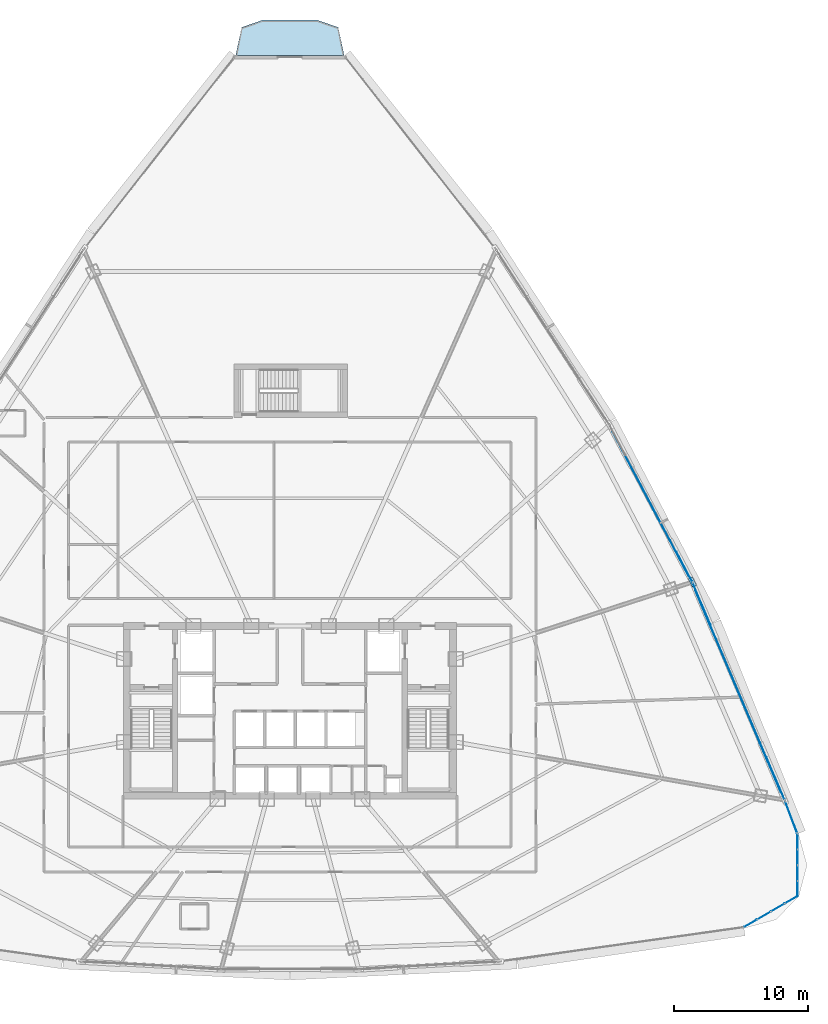
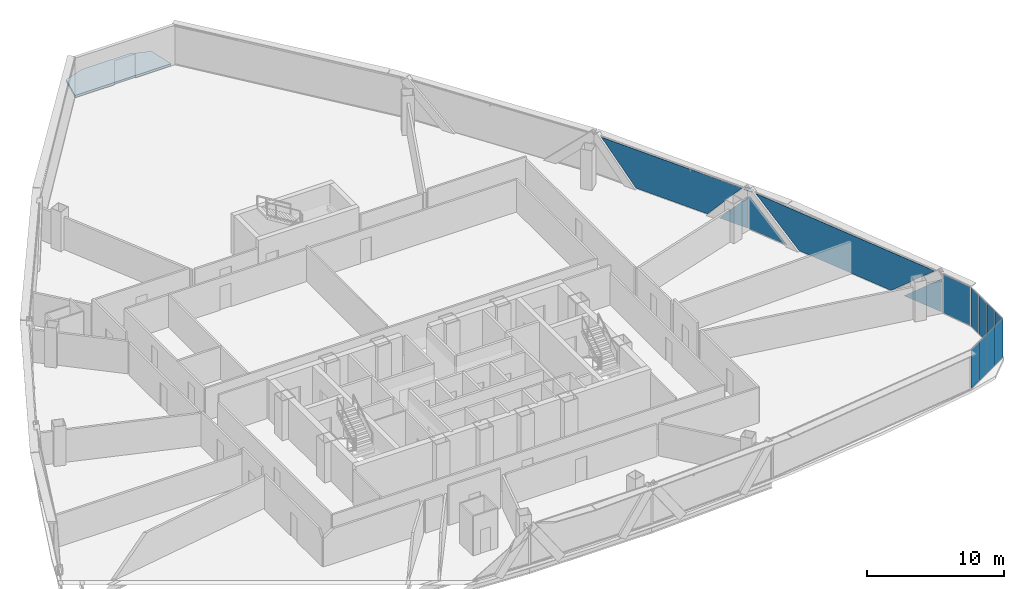
# One storey, part 29 of 38: 15 plates, 1 slab, 5 elements without a shape of their own.
"""IFC4 building model written with IfcOpenShell, lengths in metres."""

from ifc_helpers import new_model, si_unit, direction, frame, origin, origin_2d, place, context, subcontext, project, spatial, polyline, rectangle, outline, extrude, source, transform, mapped, material, layer, layer_set, type_object, element, aggregate, save


model = new_model("IFC4")

# Units and contexts
model_context = context("Model", 3, precision=1e-05, world=origin(), true_north=direction((0.0, 1.0)))
body_context = subcontext(model_context, "Body", "Model", "MODEL_VIEW")
ifc_project = project(units=[si_unit("LENGTHUNIT", "METRE"), si_unit("AREAUNIT", "SQUARE_METRE"), si_unit("VOLUMEUNIT", "CUBIC_METRE"), si_unit("PLANEANGLEUNIT", "RADIAN"), si_unit("MASSUNIT", "GRAM", prefix="KILO"), si_unit("THERMODYNAMICTEMPERATUREUNIT", "KELVIN"), si_unit("POWERUNIT", "WATT")], contexts=[model_context])

# Site, building, storey
site_placement = place(None, origin())
site = spatial("IfcSite", under=ifc_project, at=site_placement, CompositionType="ELEMENT")
building_placement = place(site_placement, origin())
building = spatial("IfcBuilding", under=site, at=building_placement, Name="Yunzhuo Pagoda Commons", CompositionType="ELEMENT")
storey_placement = place(building_placement, frame((0.0, 0.0, 203.760009765625)))
storey = spatial("IfcBuildingStorey", under=building, at=storey_placement, Name="L51", CompositionType="ELEMENT", Elevation=203.760009765625)

# Curtain wall, plates
ifc_material_1 = material(Name="Anodized aluminium 6063-T6", Category="aluminium")
ifc_layer_1 = layer(ifc_material_1, 0.14990234375)
ifc_layer_set_1 = layer_set([ifc_layer_1], Name="Anodized aluminium 6063-T6")
curtain_wall_type_1 = type_object("IfcCurtainWallType", Name="CW-MID Mid-Zone Ribbon Curtain Wall", PredefinedType="NOTDEFINED", material=ifc_layer_set_1)
curtain_wall_1_placement = place(storey_placement, origin())
curtain_wall_1 = element("IfcCurtainWall", 1, at=curtain_wall_1_placement, inside=storey, type_object=curtain_wall_type_1, Name="L51 curtain wall CW-L51-F2B2", PredefinedType="NOTDEFINED")
ifc_material_2 = material(Name="Tempered low-e double glazing", Category="glass")
ifc_layer_2 = layer(ifc_material_2, 0.028076171875)
ifc_layer_set_2 = layer_set([ifc_layer_2], Name="Tempered low-e double glazing")
plate_type_1 = type_object("IfcPlateType", Name="CW-MID-P Low-E Double Glazing 28", PredefinedType="CURTAIN_PANEL", material=ifc_layer_set_2)
plate_1_placement = place(storey_placement, frame((84.311767578125, 28.796630859375, 1.521484375), z_axis=(0.920824274127, 0.389977763697, 0.0), x_axis=(-0.389977763697, 0.920824274127, 0.0)))
plate_1 = element("IfcPlate", 2, at=plate_1_placement, type_object=plate_type_1, Name="CW panel 1.1 lite 1", PredefinedType="CURTAIN_PANEL", context=body_context, shape_type="SweptSolid", body=[
    extrude(outline(polyline([(-1.708740234375, -1.46630859375), (1.708740234375, -1.46630859375), (-1.708740234375, 1.46630859375), (-1.708740234375, -1.46630859375)])), origin(), (0.0, 0.0, 1.0), 0.028076171875),
])
plate_2_placement = place(storey_placement, frame((81.520263671875, 35.310791015625, 1.77001953125), z_axis=(0.920824274127, 0.389977763697, 0.0), x_axis=(-0.389977763697, 0.920824274127, 0.0)))
plate_2 = element("IfcPlate", 3, at=plate_2_placement, type_object=plate_type_1, Name="CW panel 1.1 lite 2", PredefinedType="CURTAIN_PANEL", context=body_context, shape_type="SweptSolid", body=[
    extrude(outline(polyline([(-8.208251953125, 1.715087890625), (-4.21142578125, -1.715087890625), (4.21142578125, -1.715087890625), (8.208251953125, 1.715087890625), (-8.208251953125, 1.715087890625)])), origin(), (0.0, 0.0, 1.0), 0.028076171875),
])
plate_3_placement = place(storey_placement, frame((78.7841796875, 41.8486328125, 1.521484375), z_axis=(0.920824274127, 0.389977763697, 0.0), x_axis=(-0.389977763697, 0.920824274127, 0.0)))
plate_3 = element("IfcPlate", 4, at=plate_3_placement, type_object=plate_type_1, Name="CW panel 1.1 lite 3", PredefinedType="CURTAIN_PANEL", context=body_context, shape_type="SweptSolid", body=[
    extrude(outline(polyline([(-1.708740234375, -1.46630859375), (1.708740234375, -1.46630859375), (1.708740234375, 1.46630859375), (-1.708740234375, -1.46630859375)])), origin(), (0.0, 0.0, 1.0), 0.028076171875),
])
aggregate(curtain_wall_1, [plate_1, plate_2, plate_3])

curtain_wall_2_placement = place(storey_placement, origin())
curtain_wall_2 = element("IfcCurtainWall", 5, at=curtain_wall_2_placement, inside=storey, type_object=curtain_wall_type_1, Name="L51 curtain wall CW-L51-F2B3", PredefinedType="NOTDEFINED")
plate_4_placement = place(storey_placement, frame((77.488525390625, 44.626220703125, 1.474365234375), z_axis=(0.884591690585, 0.466366316267, 0.0), x_axis=(-0.466366316267, 0.884591690585, 0.0)))
plate_4 = element("IfcPlate", 6, at=plate_4_placement, type_object=plate_type_1, Name="CW panel 1.1 lite 1", PredefinedType="CURTAIN_PANEL", context=body_context, shape_type="SweptSolid", body=[
    extrude(outline(polyline([(-1.240234375, -1.41943359375), (1.240234375, -1.41943359375), (-1.240234375, 1.41943359375), (-1.240234375, -1.41943359375)])), origin(), (0.0, 0.0, 1.0), 0.028076171875),
])
plate_5_placement = place(storey_placement, frame((74.971435546875, 49.33642578125, 1.77001953125), z_axis=(0.884591690585, 0.466366316267, 0.0), x_axis=(-0.466366316267, 0.884591690585, 0.0)))
plate_5 = element("IfcPlate", 7, at=plate_5_placement, type_object=plate_type_1, Name="CW panel 1.1 lite 2", PredefinedType="CURTAIN_PANEL", context=body_context, shape_type="SweptSolid", body=[
    extrude(outline(polyline([(-6.088134765625, 1.715087890625), (-3.091064453125, -1.715087890625), (3.091064453125, -1.715087890625), (6.088134765625, 1.715087890625), (-6.088134765625, 1.715087890625)])), origin(), (0.0, 0.0, 1.0), 0.028076171875),
])
aggregate(curtain_wall_2, [plate_4, plate_5])

# Slab
ifc_material_3 = material(Name="Concrete C40", Category="concrete")
ifc_layer_3 = layer(ifc_material_3, 0.199951171875)
ifc_layer_set_3 = layer_set([ifc_layer_3], Name="Concrete C40")
slab_type = type_object("IfcSlabType", Name="SL-BAL Vertex Balcony Deck Slab 200", PredefinedType="FLOOR", material=ifc_layer_set_3)
slab_placement = place(storey_placement, frame((0.0, 0.0, -0.199951171875)))
element("IfcSlab", 8, at=slab_placement, inside=storey, type_object=slab_type, Name="L51 corner balcony V3", PredefinedType="FLOOR", context=body_context, shape_type="SweptSolid", body=[
    extrude(outline(polyline([(52.059814453125, 82.887451171875), (43.940185546875, 82.887451171875), (44.39013671875, 84.982421875), (45.97021484375, 85.532470703125), (50.02978515625, 85.532470703125), (51.60986328125, 84.982421875), (52.059814453125, 82.887451171875)])), origin(), (0.0, 0.0, 1.0), 0.199951171875),
])

# Plate
ifc_material_4 = material(Name="Structural steel Q355B", Category="steel")
ifc_layer_4 = layer(ifc_material_4, 0.028076171875)
ifc_layer_set_4 = layer_set([ifc_layer_4], Name="Structural steel Q355B")
plate_type_2 = type_object("IfcPlateType", Name="SP-ND1 Lattice Node Cap Plate 800x500x28", PredefinedType="USERDEFINED", material=ifc_layer_set_4)
shared_shape_1 = source(origin(), body_context, "Body", "SweptSolid", [
    extrude(rectangle(XDim=0.699951171875, YDim=0.35009765625, at=origin_2d()), origin(), (0.0, 0.0, 1.0), 0.035888671875),
])
plate_6_placement = place(storey_placement, frame((78.107421875, 43.482421875, 3.501953125), z_axis=(0.0, 0.0, 1.0), x_axis=(-0.466371201418, 0.884589115063, 0.0)))
element("IfcPlate", 9, at=plate_6_placement, inside=storey, type_object=plate_type_2, Name="L51 setback lattice tie plate F2.2L", ObjectType="STIFFENER_PLATE", PredefinedType="USERDEFINED", context=body_context, shape_type="MappedRepresentation", body=[
    mapped(shared_shape_1, transform((0.0, 0.0, 0.0), scale=1.0)),
])

# Curtain wall, plate
curtain_wall_3_placement = place(storey_placement, origin())
curtain_wall_3 = element("IfcCurtainWall", 10, at=curtain_wall_3_placement, inside=storey, type_object=curtain_wall_type_1, Name="L51 curtain wall CW-L51-F2B1", PredefinedType="NOTDEFINED")
shared_shape_2 = source(origin(), body_context, "Body", "SweptSolid", [
    extrude(rectangle(XDim=2.50048828125, YDim=0.028076171875, at=origin_2d()), origin(), (0.0, 0.0, 1.0), 3.429931640625),
])
plate_7_placement = place(storey_placement, frame((85.505615234375, 25.878173828125, 0.05517578125), z_axis=(0.0, 0.0, 1.0), x_axis=(-0.354558749116, 0.935033739191, 0.0)))
plate_7 = element("IfcPlate", 11, at=plate_7_placement, type_object=plate_type_1, Name="CW panel 1.1", PredefinedType="CURTAIN_PANEL", context=body_context, shape_type="MappedRepresentation", body=[
    mapped(shared_shape_2, transform((0.0, 0.0, 0.0), scale=1.0)),
])
aggregate(curtain_wall_3, [plate_7])

# Curtain wall, plates
ifc_layer_5 = layer(ifc_material_1, 0.1298828125)
ifc_layer_set_5 = layer_set([ifc_layer_5], Name="Anodized aluminium 6063-T6")
curtain_wall_type_2 = type_object("IfcCurtainWallType", Name="CW-VTX Rounded Corner Curtain Wall", PredefinedType="NOTDEFINED", material=ifc_layer_set_5)
curtain_wall_4_placement = place(storey_placement, origin())
curtain_wall_4 = element("IfcCurtainWall", 12, at=curtain_wall_4_placement, inside=storey, type_object=curtain_wall_type_2, Name="L51 curtain wall CW-L51-VTX2S1", PredefinedType="NOTDEFINED")
ifc_layer_6 = layer(ifc_material_2, 0.02587890625)
ifc_layer_set_6 = layer_set([ifc_layer_6], Name="Tempered low-e double glazing")
plate_type_3 = type_object("IfcPlateType", Name="CW-VTX-P Low-E Double Glazing 26", PredefinedType="CURTAIN_PANEL", material=ifc_layer_set_6)
shared_shape_3 = source(origin(), body_context, "Body", "SweptSolid", [
    extrude(rectangle(XDim=1.09521484375, YDim=0.028076171875, at=origin_2d()), origin(), (0.0, 0.0, 1.0), 3.429931640625),
])
plate_8_placement = place(storey_placement, frame((82.4716796875, 17.95361328125, 0.05517578125), z_axis=(0.0, 0.0, 1.0), x_axis=(0.865425801013, 0.50103710735, 0.0)))
plate_8 = element("IfcPlate", 13, at=plate_8_placement, type_object=plate_type_3, Name="CW panel 1.1", PredefinedType="CURTAIN_PANEL", context=body_context, shape_type="MappedRepresentation", body=[
    mapped(shared_shape_3, transform((0.0, 0.0, 0.0), scale=1.0)),
])
plate_9_placement = place(storey_placement, frame((85.505615234375, 19.7099609375, 0.05517578125), z_axis=(0.0, 0.0, 1.0), x_axis=(0.865425801013, 0.50103710735, 0.0)))
plate_9 = element("IfcPlate", 14, at=plate_9_placement, type_object=plate_type_3, Name="CW panel 4.1", PredefinedType="CURTAIN_PANEL", context=body_context, shape_type="MappedRepresentation", body=[
    mapped(shared_shape_3, transform((0.0, 0.0, 0.0), scale=1.0)),
])

curtain_wall_5_placement = place(storey_placement, origin())
curtain_wall_5 = element("IfcCurtainWall", 15, at=curtain_wall_5_placement, inside=storey, type_object=curtain_wall_type_2, Name="L51 curtain wall CW-L51-VTX2S2", PredefinedType="NOTDEFINED")
plate_10_placement = place(storey_placement, frame((85.98486328125, 20.544921875, 0.05517578125), z_axis=(0.0, 0.0, 1.0), x_axis=(-0.00358763029, 0.999993564434, 0.0)))
plate_10 = element("IfcPlate", 16, at=plate_10_placement, type_object=plate_type_3, Name="CW panel 1.1", PredefinedType="CURTAIN_PANEL", context=body_context, shape_type="MappedRepresentation", body=[
    mapped(shared_shape_3, transform((0.0, 0.0, 0.0), scale=1.0)),
])
plate_11_placement = place(storey_placement, frame((85.972412109375, 24.050537109375, 0.05517578125), z_axis=(0.0, 0.0, 1.0), x_axis=(-0.00358763029, 0.999993564434, 0.0)))
plate_11 = element("IfcPlate", 17, at=plate_11_placement, type_object=plate_type_3, Name="CW panel 4.1", PredefinedType="CURTAIN_PANEL", context=body_context, shape_type="MappedRepresentation", body=[
    mapped(shared_shape_3, transform((0.0, 0.0, 0.0), scale=1.0)),
])

# Plate
shared_shape_4 = source(origin(), body_context, "Body", "SweptSolid", [
    extrude(rectangle(XDim=1.12255859375, YDim=0.028076171875, at=origin_2d()), origin(), (0.0, 0.0, 1.0), 3.429931640625),
])
plate_12_placement = place(storey_placement, frame((83.47900390625, 18.536865234375, 0.05517578125), z_axis=(0.0, 0.0, 1.0), x_axis=(0.865425801013, 0.50103710735, 0.0)))
plate_12 = element("IfcPlate", 18, at=plate_12_placement, type_object=plate_type_3, Name="CW panel 2.1", PredefinedType="CURTAIN_PANEL", context=body_context, shape_type="MappedRepresentation", body=[
    mapped(shared_shape_4, transform((0.0, 0.0, 0.0), scale=1.0)),
])

plate_13_placement = place(storey_placement, frame((84.498291015625, 19.126708984375, 0.05517578125), z_axis=(0.0, 0.0, 1.0), x_axis=(0.865425801013, 0.50103710735, 0.0)))
plate_13 = element("IfcPlate", 19, at=plate_13_placement, type_object=plate_type_3, Name="CW panel 3.1", PredefinedType="CURTAIN_PANEL", context=body_context, shape_type="MappedRepresentation", body=[
    mapped(shared_shape_4, transform((0.0, 0.0, 0.0), scale=1.0)),
])

aggregate(curtain_wall_4, [plate_8, plate_12, plate_13, plate_9])

plate_14_placement = place(storey_placement, frame((85.980712890625, 21.708984375, 0.05517578125), z_axis=(0.0, 0.0, 1.0), x_axis=(-0.00358763029, 0.999993564434, 0.0)))
plate_14 = element("IfcPlate", 20, at=plate_14_placement, type_object=plate_type_3, Name="CW panel 2.1", PredefinedType="CURTAIN_PANEL", context=body_context, shape_type="MappedRepresentation", body=[
    mapped(shared_shape_4, transform((0.0, 0.0, 0.0), scale=1.0)),
])

plate_15_placement = place(storey_placement, frame((85.9765625, 22.886474609375, 0.05517578125), z_axis=(0.0, 0.0, 1.0), x_axis=(-0.00358763029, 0.999993564434, 0.0)))
plate_15 = element("IfcPlate", 21, at=plate_15_placement, type_object=plate_type_3, Name="CW panel 3.1", PredefinedType="CURTAIN_PANEL", context=body_context, shape_type="MappedRepresentation", body=[
    mapped(shared_shape_4, transform((0.0, 0.0, 0.0), scale=1.0)),
])

aggregate(curtain_wall_5, [plate_10, plate_14, plate_15, plate_11])

save(model, "model.ifc")
